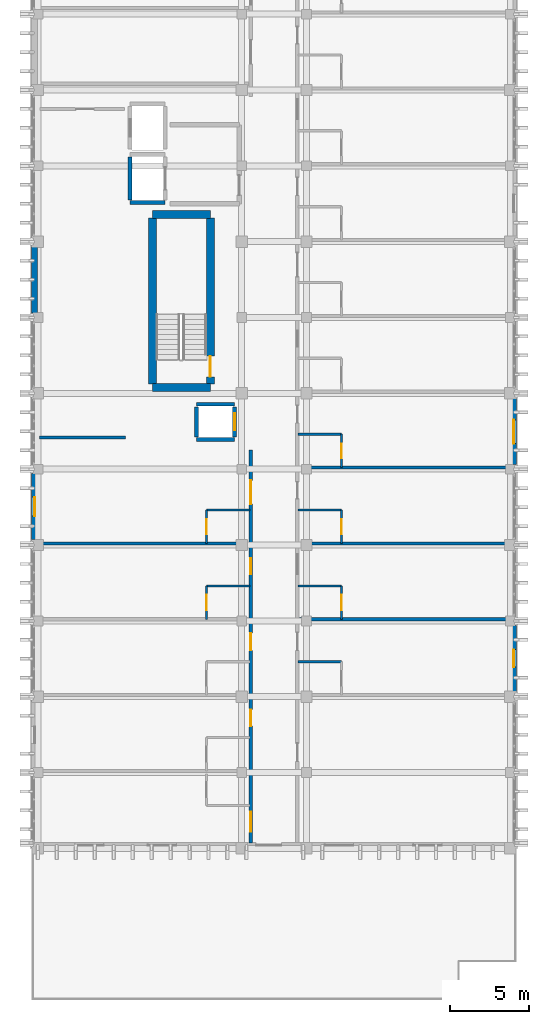
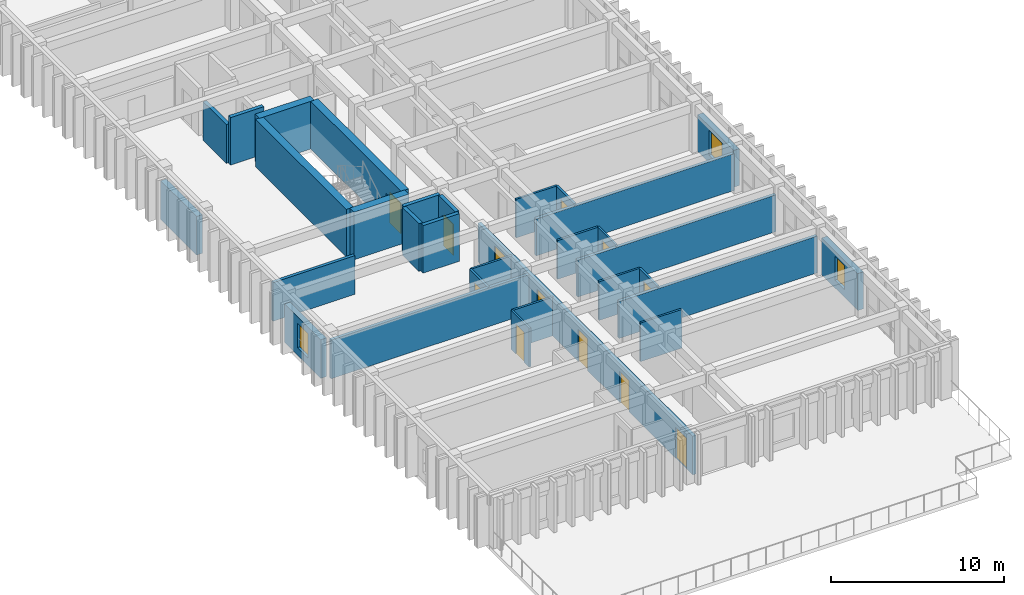
# One storey, part 48 of 59: 31 walls, 12 doors, 3 windows, 15 openings.
"""IFC4 building model written with IfcOpenShell, lengths in metres."""

from ifc_helpers import new_model, si_unit, direction, frame, frame_2d, origin, place, context, subcontext, project, spatial, rectangle, extrude, material, layer, layer_set, type_object, element, fill, save


model = new_model("IFC4")

# Units and contexts
model_context = context("Model", 3, precision=1e-05, world=origin(), true_north=direction((0.0, 1.0)))
body_context = subcontext(model_context, "Body", "Model", "MODEL_VIEW")
ifc_project = project(units=[si_unit("LENGTHUNIT", "METRE"), si_unit("AREAUNIT", "SQUARE_METRE"), si_unit("VOLUMEUNIT", "CUBIC_METRE"), si_unit("PLANEANGLEUNIT", "RADIAN"), si_unit("MASSUNIT", "GRAM", prefix="KILO")], contexts=[model_context])

# Site, building, storey
site_placement = place(None, origin())
site = spatial("IfcSite", under=ifc_project, at=site_placement, CompositionType="ELEMENT")
building_placement = place(site_placement, origin())
building = spatial("IfcBuilding", under=site, at=building_placement, Name="Nakhvara Creek Congress Hotel", CompositionType="ELEMENT")
storey_placement = place(building_placement, frame((0.0, 0.0, 31.800048828125)))
storey = spatial("IfcBuildingStorey", under=building, at=storey_placement, Name="L07", CompositionType="ELEMENT", Elevation=31.800048828125)

# Walls
ifc_material_1 = material(Name="Concrete C50/60", Category="concrete")
ifc_layer_1 = layer(ifc_material_1, 0.5)
ifc_layer_set_1 = layer_set([ifc_layer_1], Name="Concrete C50/60")
wall_type_1 = type_object("IfcWallType", Name="W-CORE-500", PredefinedType="SHEAR", material=ifc_layer_set_1)
for number, where, z_axis, x_axis, name in (
    (1, (156.699951171875, 77.179931640625, 0.0), (0.0, 0.0, 1.0), (1.0, 0.0, 0.0), "Core Shear Wall WS01-CWALL-L07-0163"),
    (2, (156.699951171875, 88.1201171875, 0.0), (0.0, 0.0, 1.0), (1.0, 0.0, 0.0), "Core Shear Wall WS01-CWALL-L07-0164"),
):
    element("IfcWall", number, at=place(storey_placement, frame(where, z_axis=z_axis, x_axis=x_axis)), inside=storey, type_object=wall_type_1, Name=name, PredefinedType="SHEAR", context=body_context, shape_type="SweptSolid", body=[
        extrude(rectangle(XDim=3.670166015625, YDim=0.5, at=frame_2d((1.8349609375, 0.0))), origin(), (0.0, 0.0, 1.0), 3.35986328125),
    ])
wall_1_placement = place(storey_placement, frame((156.699951171875, 77.39990234375, 0.0), z_axis=(0.0, 0.0, 1.0), x_axis=(0.0, 1.0, 0.0)))
element("IfcWall", 3, at=wall_1_placement, inside=storey, type_object=wall_type_1, Name="Core Shear Wall WS01-CWALL-L07-0165", PredefinedType="SHEAR", context=body_context, shape_type="SweptSolid", body=[
    extrude(rectangle(XDim=10.5, YDim=0.5, at=frame_2d((5.25, 0.0))), origin(), (0.0, 0.0, 1.0), 3.35986328125),
])

# Wall, opening, door
wall_2_placement = place(storey_placement, frame((160.3701171875, 77.39990234375, 0.0), z_axis=(0.0, 0.0, 1.0), x_axis=(0.0, 1.0, 0.0)))
wall_2 = element("IfcWall", 4, at=wall_2_placement, inside=storey, type_object=wall_type_1, Name="Core Shear Wall WS01-CWALL-L07-0166", PredefinedType="SHEAR", context=body_context, shape_type="SweptSolid", body=[
    extrude(rectangle(XDim=10.5, YDim=0.5, at=frame_2d((5.25, 0.0))), origin(), (0.0, 0.0, 1.0), 3.35986328125),
])
opening_1_placement = place(wall_2_placement, frame((0.449951171875, 0.0, 0.0)))
opening_1 = element("IfcOpeningElement", 5, at=opening_1_placement, cuts=wall_2, Name="Opening FD04", PredefinedType="OPENING", context=body_context, shape_type="SweptSolid", body=[
    extrude(rectangle(XDim=1.300048828125, YDim=2.14990234375, at=frame_2d((0.64990234375, 1.074951171875))), frame((0.0, 0.261962890625, 0.0), z_axis=(0.0, -1.0, 0.0), x_axis=(1.0, 0.0, 0.0)), (0.0, 0.0, 1.0), 0.52392578125),
])
ifc_material_2 = material(Name="Powder-coated steel fire door", Category="steel")
door_type_1 = type_object("IfcDoorType", Name="DT-STAIR-130", OperationType="NOTDEFINED", PredefinedType="DOOR", material=ifc_material_2)
door_1_placement = place(opening_1_placement, frame((1.300048828125, 0.0, 0.0), z_axis=(0.0, 0.0, 1.0), x_axis=(-1.0, 0.0, 0.0)))
door_1 = element("IfcDoor", 6, at=door_1_placement, inside=storey, type_object=door_type_1, Name="Stair Exit Door ST01-L07", OperationType="SINGLE_SWING_LEFT", OverallHeight=2.14990234375, OverallWidth=1.300048828125, PredefinedType="DOOR", context=body_context, shape_type="SweptSolid", body=[
    extrude(rectangle(XDim=1.300048828125, YDim=2.14990234375, at=frame_2d((0.64990234375, 1.074951171875))), frame((0.0, 0.02490234375, 0.0), z_axis=(0.0, -1.0, 0.0), x_axis=(1.0, 0.0, 0.0)), (0.0, 0.0, 1.0), 0.050048828125),
])
fill(opening_1, door_1)

# Wall, openings, doors
ifc_material_3 = material(Name="Gypsum acoustic board on steel stud", Category="steel")
ifc_layer_2 = layer(ifc_material_3, 0.219970703125)
ifc_layer_set_2 = layer_set([ifc_layer_2], Name="Gypsum acoustic board on steel stud")
wall_type_2 = type_object("IfcWallType", Name="W-CORR-220", PredefinedType="PARTITIONING", material=ifc_layer_set_2)
wall_3_placement = place(storey_placement, frame((162.919921875, 48.35009765625, 0.0), z_axis=(0.0, 0.0, 1.0), x_axis=(0.0, 1.0, 0.0)))
wall_3 = element("IfcWall", 7, at=wall_3_placement, inside=storey, type_object=wall_type_2, Name="Interior Wall WP11-IW-L07-0518", PredefinedType="PARTITIONING", context=body_context, shape_type="SweptSolid", body=[
    extrude(rectangle(XDim=24.849853515625, YDim=0.219970703125, at=frame_2d((12.4248046875, 0.0))), origin(), (0.0, 0.0, 1.0), 2.73193359375),
])
opening_2_placement = place(wall_3_placement, frame((0.69091796875, 0.0, 0.0)))
opening_2 = element("IfcOpeningElement", 8, at=opening_2_placement, cuts=wall_3, Name="Opening ID07", PredefinedType="OPENING", context=body_context, shape_type="SweptSolid", body=[
    extrude(rectangle(XDim=1.280029296875, YDim=2.159912109375, at=frame_2d((0.64013671875, 1.080078125))), frame((0.0, 0.1220703125, 0.0), z_axis=(0.0, -1.0, 0.0), x_axis=(1.0, 0.0, 0.0)), (0.0, 0.0, 1.0), 0.243896484375),
])
opening_3_placement = place(wall_3_placement, frame((7.387939453125, 0.0, 0.0)))
opening_3 = element("IfcOpeningElement", 9, at=opening_3_placement, cuts=wall_3, Name="Opening ID04", PredefinedType="OPENING", context=body_context, shape_type="SweptSolid", body=[
    extrude(rectangle(XDim=1.050048828125, YDim=2.179931640625, at=frame_2d((0.52490234375, 1.08984375))), frame((0.0, 0.1220703125, 0.0), z_axis=(0.0, -1.0, 0.0), x_axis=(1.0, 0.0, 0.0)), (0.0, 0.0, 1.0), 0.243896484375),
])
opening_4_placement = place(wall_3_placement, frame((12.18798828125, 0.0, 0.0)))
opening_4 = element("IfcOpeningElement", 10, at=opening_4_placement, cuts=wall_3, Name="Opening GD02", PredefinedType="OPENING", context=body_context, shape_type="SweptSolid", body=[
    extrude(rectangle(XDim=1.080078125, YDim=2.25, at=frame_2d((0.5400390625, 1.125))), frame((0.0, 0.1220703125, 0.0), z_axis=(0.0, -1.0, 0.0), x_axis=(1.0, 0.0, 0.0)), (0.0, 0.0, 1.0), 0.243896484375),
])
opening_5_placement = place(wall_3_placement, frame((16.988037109375, 0.0, 0.0)))
opening_5 = element("IfcOpeningElement", 11, at=opening_5_placement, cuts=wall_3, Name="Opening GD01", PredefinedType="OPENING", context=body_context, shape_type="SweptSolid", body=[
    extrude(rectangle(XDim=1.02001953125, YDim=2.199951171875, at=frame_2d((0.510009765625, 1.10009765625))), frame((0.0, 0.1220703125, 0.0), z_axis=(0.0, -1.0, 0.0), x_axis=(1.0, 0.0, 0.0)), (0.0, 0.0, 1.0), 0.243896484375),
])
opening_6_placement = place(wall_3_placement, frame((21.43798828125, 0.0, 0.0)))
opening_6 = element("IfcOpeningElement", 12, at=opening_6_placement, cuts=wall_3, Name="Opening GD03", PredefinedType="OPENING", context=body_context, shape_type="SweptSolid", body=[
    extrude(rectangle(XDim=1.5, YDim=2.300048828125, at=frame_2d((0.75, 1.14990234375))), frame((0.0, 0.1220703125, 0.0), z_axis=(0.0, -1.0, 0.0), x_axis=(1.0, 0.0, 0.0)), (0.0, 0.0, 1.0), 0.243896484375),
])
ifc_material_4 = material(Name="Brushed stainless-clad BOH door")
door_type_2 = type_object("IfcDoorType", Name="DT-BOH-128", OperationType="NOTDEFINED", PredefinedType="DOOR", material=ifc_material_4)
door_2_placement = place(opening_2_placement, frame((1.280029296875, 0.0, 0.0), z_axis=(0.0, 0.0, 1.0), x_axis=(-1.0, 0.0, 0.0)))
door_2 = element("IfcDoor", 13, at=door_2_placement, inside=storey, type_object=door_type_2, Name="Interior Door ID07-0400", OperationType="SINGLE_SWING_LEFT", OverallHeight=2.159912109375, OverallWidth=1.280029296875, PredefinedType="DOOR", context=body_context, shape_type="SweptSolid", body=[
    extrude(rectangle(XDim=1.280029296875, YDim=2.159912109375, at=frame_2d((0.64013671875, 1.080078125))), frame((0.0, 0.02490234375, 0.0), z_axis=(0.0, -1.0, 0.0), x_axis=(1.0, 0.0, 0.0)), (0.0, 0.0, 1.0), 0.050048828125),
])
fill(opening_2, door_2)
ifc_material_5 = material(Name="Walnut hardwood timber fire door", Category="wood")
door_type_3 = type_object("IfcDoorType", Name="DT-GUEST-102", OperationType="NOTDEFINED", PredefinedType="DOOR", material=ifc_material_5)
door_3_placement = place(opening_5_placement, frame((1.02001953125, 0.0, 0.0), z_axis=(0.0, 0.0, 1.0), x_axis=(-1.0, 0.0, 0.0)))
door_3 = element("IfcDoor", 14, at=door_3_placement, inside=storey, type_object=door_type_3, Name="Interior Door GD01-0406", OperationType="SINGLE_SWING_LEFT", OverallHeight=2.199951171875, OverallWidth=1.02001953125, PredefinedType="DOOR", context=body_context, shape_type="SweptSolid", body=[
    extrude(rectangle(XDim=1.02001953125, YDim=2.199951171875, at=frame_2d((0.510009765625, 1.10009765625))), frame((0.0, 0.02490234375, 0.0), z_axis=(0.0, -1.0, 0.0), x_axis=(1.0, 0.0, 0.0)), (0.0, 0.0, 1.0), 0.050048828125),
])
fill(opening_5, door_3)
door_type_4 = type_object("IfcDoorType", Name="DT-GUEST-108", OperationType="NOTDEFINED", PredefinedType="DOOR", material=ifc_material_5)
door_4_placement = place(opening_4_placement, frame((1.080078125, 0.0, 0.0), z_axis=(0.0, 0.0, 1.0), x_axis=(-1.0, 0.0, 0.0)))
door_4 = element("IfcDoor", 15, at=door_4_placement, inside=storey, type_object=door_type_4, Name="Interior Door GD02-0404", OperationType="SINGLE_SWING_LEFT", OverallHeight=2.25, OverallWidth=1.080078125, PredefinedType="DOOR", context=body_context, shape_type="SweptSolid", body=[
    extrude(rectangle(XDim=1.080078125, YDim=2.25, at=frame_2d((0.5400390625, 1.125))), frame((0.0, 0.02490234375, 0.0), z_axis=(0.0, -1.0, 0.0), x_axis=(1.0, 0.0, 0.0)), (0.0, 0.0, 1.0), 0.050048828125),
])
fill(opening_4, door_4)
ifc_material_6 = material(Name="Teak timber & frosted glass spa door", Category="wood")
door_type_5 = type_object("IfcDoorType", Name="DT-SPA-105", OperationType="NOTDEFINED", PredefinedType="DOOR", material=ifc_material_6)
door_5_placement = place(opening_3_placement, frame((1.050048828125, 0.0, 0.0), z_axis=(0.0, 0.0, 1.0), x_axis=(-1.0, 0.0, 0.0)))
door_5 = element("IfcDoor", 16, at=door_5_placement, inside=storey, type_object=door_type_5, Name="Interior Door ID04-0402", OperationType="SINGLE_SWING_LEFT", OverallHeight=2.179931640625, OverallWidth=1.050048828125, PredefinedType="DOOR", context=body_context, shape_type="SweptSolid", body=[
    extrude(rectangle(XDim=1.050048828125, YDim=2.179931640625, at=frame_2d((0.52490234375, 1.08984375))), frame((0.0, 0.02490234375, 0.0), z_axis=(0.0, -1.0, 0.0), x_axis=(1.0, 0.0, 0.0)), (0.0, 0.0, 1.0), 0.050048828125),
])
fill(opening_3, door_5)
ifc_material_7 = material(Name="Walnut hardwood double fire door", Category="wood")
door_type_6 = type_object("IfcDoorType", Name="DT-SUITE-150", OperationType="DOUBLE_DOOR_SINGLE_SWING", PredefinedType="DOOR", material=ifc_material_7)
door_6_placement = place(opening_6_placement, frame((1.5, 0.0, 0.0), z_axis=(0.0, 0.0, 1.0), x_axis=(-1.0, 0.0, 0.0)))
door_6 = element("IfcDoor", 17, at=door_6_placement, inside=storey, type_object=door_type_6, Name="Interior Door GD03-0408", OperationType="DOUBLE_DOOR_SINGLE_SWING", OverallHeight=2.300048828125, OverallWidth=1.5, PredefinedType="DOOR", context=body_context, shape_type="SweptSolid", body=[
    extrude(rectangle(XDim=1.5, YDim=2.300048828125, at=frame_2d((0.75, 1.14990234375))), frame((0.0, 0.02490234375, 0.0), z_axis=(0.0, -1.0, 0.0), x_axis=(1.0, 0.0, 0.0)), (0.0, 0.0, 1.0), 0.050048828125),
])
fill(opening_6, door_6)

# Wall, opening, door
ifc_material_8 = material(Name="Moisture-resistant gypsum board partition")
ifc_layer_3 = layer(ifc_material_8, 0.139892578125)
ifc_layer_set_3 = layer_set([ifc_layer_3], Name="Moisture-resistant gypsum board partition")
wall_type_3 = type_object("IfcWallType", Name="W-ENS-140", PredefinedType="PARTITIONING", material=ifc_layer_set_3)
wall_4_placement = place(storey_placement, frame((160.1298828125, 62.5, 0.0), z_axis=(0.0, 0.0, 1.0), x_axis=(0.0, 1.0, 0.0)))
wall_4 = element("IfcWall", 18, at=wall_4_placement, inside=storey, type_object=wall_type_3, Name="Interior Wall WP15-IW-L07-0538", PredefinedType="PARTITIONING", context=body_context, shape_type="SweptSolid", body=[
    extrude(rectangle(XDim=2.115966796875, YDim=0.139892578125, at=frame_2d((1.05810546875, 0.0))), origin(), (0.0, 0.0, 1.0), 2.73193359375),
])
opening_7_placement = place(wall_4_placement, frame((0.5830078125, 0.0, 0.0)))
opening_7 = element("IfcOpeningElement", 19, at=opening_7_placement, cuts=wall_4, Name="Opening ID02", PredefinedType="OPENING", context=body_context, shape_type="SweptSolid", body=[
    extrude(rectangle(XDim=0.9599609375, YDim=2.1201171875, at=frame_2d((0.47998046875, 1.06005859375))), frame((0.0, 0.08203125, 0.0), z_axis=(0.0, -1.0, 0.0), x_axis=(1.0, 0.0, 0.0)), (0.0, 0.0, 1.0), 0.163818359375),
])
ifc_material_9 = material(Name="Moisture-resistant walnut timber door", Category="wood")
door_type_7 = type_object("IfcDoorType", Name="DT-ENS-096", OperationType="NOTDEFINED", PredefinedType="DOOR", material=ifc_material_9)
door_7_placement = place(opening_7_placement, origin())
door_7 = element("IfcDoor", 20, at=door_7_placement, inside=storey, type_object=door_type_7, Name="Interior Door ID02-0407", OperationType="SINGLE_SWING_RIGHT", OverallHeight=2.1201171875, OverallWidth=0.9599609375, PredefinedType="DOOR", context=body_context, shape_type="SweptSolid", body=[
    extrude(rectangle(XDim=0.9599609375, YDim=2.1201171875, at=frame_2d((0.47998046875, 1.06005859375))), frame((0.0, 0.02490234375, 0.0), z_axis=(0.0, -1.0, 0.0), x_axis=(1.0, 0.0, 0.0)), (0.0, 0.0, 1.0), 0.050048828125),
])
fill(opening_7, door_7)

# Wall
wall_5_placement = place(storey_placement, frame((160.1298828125, 64.615966796875, 0.0), z_axis=(0.0, 0.0, 1.0), x_axis=(1.0, 0.0, 0.0)))
element("IfcWall", 21, at=wall_5_placement, inside=storey, type_object=wall_type_3, Name="Interior Wall WP15-IW-L07-0539", PredefinedType="PARTITIONING", context=body_context, shape_type="SweptSolid", body=[
    extrude(rectangle(XDim=2.75, YDim=0.139892578125, at=frame_2d((1.375, 0.0))), origin(), (0.0, 0.0, 1.0), 2.73193359375),
])

# Wall, opening, door
wall_6_placement = place(storey_placement, frame((160.1298828125, 67.300048828125, 0.0), z_axis=(0.0, 0.0, 1.0), x_axis=(0.0, 1.0, 0.0)))
wall_6 = element("IfcWall", 22, at=wall_6_placement, inside=storey, type_object=wall_type_3, Name="Interior Wall WP15-IW-L07-0541", PredefinedType="PARTITIONING", context=body_context, shape_type="SweptSolid", body=[
    extrude(rectangle(XDim=2.115966796875, YDim=0.139892578125, at=frame_2d((1.05810546875, 0.0))), origin(), (0.0, 0.0, 1.0), 2.73193359375),
])
opening_8_placement = place(wall_6_placement, frame((0.5830078125, 0.0, 0.0)))
opening_8 = element("IfcOpeningElement", 23, at=opening_8_placement, cuts=wall_6, Name="Opening ID02", PredefinedType="OPENING", context=body_context, shape_type="SweptSolid", body=[
    extrude(rectangle(XDim=0.9599609375, YDim=2.1201171875, at=frame_2d((0.47998046875, 1.06005859375))), frame((0.0, 0.08203125, 0.0), z_axis=(0.0, -1.0, 0.0), x_axis=(1.0, 0.0, 0.0)), (0.0, 0.0, 1.0), 0.163818359375),
])
door_8_placement = place(opening_8_placement, origin())
door_8 = element("IfcDoor", 24, at=door_8_placement, inside=storey, type_object=door_type_7, Name="Interior Door ID02-0409", OperationType="SINGLE_SWING_RIGHT", OverallHeight=2.1201171875, OverallWidth=0.9599609375, PredefinedType="DOOR", context=body_context, shape_type="SweptSolid", body=[
    extrude(rectangle(XDim=0.9599609375, YDim=2.1201171875, at=frame_2d((0.47998046875, 1.06005859375))), frame((0.0, 0.02490234375, 0.0), z_axis=(0.0, -1.0, 0.0), x_axis=(1.0, 0.0, 0.0)), (0.0, 0.0, 1.0), 0.050048828125),
])
fill(opening_8, door_8)

# Walls
for number, where, z_axis, x_axis, name in (
    (25, (160.1298828125, 69.416015625, 0.0), (0.0, 0.0, 1.0), (1.0, 0.0, 0.0), "Interior Wall WP15-IW-L07-0542"),
    (26, (165.919921875, 59.81591796875, 0.0), (0.0, 0.0, 1.0), (1.0, 0.0, 0.0), "Interior Wall WP15-IW-L07-0545"),
):
    element("IfcWall", number, at=place(storey_placement, frame(where, z_axis=z_axis, x_axis=x_axis)), inside=storey, type_object=wall_type_3, Name=name, PredefinedType="PARTITIONING", context=body_context, shape_type="SweptSolid", body=[
        extrude(rectangle(XDim=2.75, YDim=0.139892578125, at=frame_2d((1.375, 0.0))), origin(), (0.0, 0.0, 1.0), 2.73193359375),
    ])

# Wall, opening, door
wall_7_placement = place(storey_placement, frame((168.669921875, 62.5, 0.0), z_axis=(0.0, 0.0, 1.0), x_axis=(0.0, 1.0, 0.0)))
wall_7 = element("IfcWall", 27, at=wall_7_placement, inside=storey, type_object=wall_type_3, Name="Interior Wall WP15-IW-L07-0547", PredefinedType="PARTITIONING", context=body_context, shape_type="SweptSolid", body=[
    extrude(rectangle(XDim=2.115966796875, YDim=0.139892578125, at=frame_2d((1.05810546875, 0.0))), origin(), (0.0, 0.0, 1.0), 2.73193359375),
])
opening_9_placement = place(wall_7_placement, frame((0.5830078125, 0.0, 0.0)))
opening_9 = element("IfcOpeningElement", 28, at=opening_9_placement, cuts=wall_7, Name="Opening ID02", PredefinedType="OPENING", context=body_context, shape_type="SweptSolid", body=[
    extrude(rectangle(XDim=0.9599609375, YDim=2.1201171875, at=frame_2d((0.47998046875, 1.06005859375))), frame((0.0, 0.08203125, 0.0), z_axis=(0.0, -1.0, 0.0), x_axis=(1.0, 0.0, 0.0)), (0.0, 0.0, 1.0), 0.163818359375),
])
door_9_placement = place(opening_9_placement, frame((0.9599609375, 0.0, 0.0), z_axis=(0.0, 0.0, 1.0), x_axis=(-1.0, 0.0, 0.0)))
door_9 = element("IfcDoor", 29, at=door_9_placement, inside=storey, type_object=door_type_7, Name="Interior Door ID02-0413", OperationType="SINGLE_SWING_RIGHT", OverallHeight=2.1201171875, OverallWidth=0.9599609375, PredefinedType="DOOR", context=body_context, shape_type="SweptSolid", body=[
    extrude(rectangle(XDim=0.9599609375, YDim=2.1201171875, at=frame_2d((0.47998046875, 1.06005859375))), frame((0.0, 0.02490234375, 0.0), z_axis=(0.0, -1.0, 0.0), x_axis=(1.0, 0.0, 0.0)), (0.0, 0.0, 1.0), 0.050048828125),
])
fill(opening_9, door_9)

# Wall
wall_8_placement = place(storey_placement, frame((165.919921875, 64.615966796875, 0.0), z_axis=(0.0, 0.0, 1.0), x_axis=(1.0, 0.0, 0.0)))
element("IfcWall", 30, at=wall_8_placement, inside=storey, type_object=wall_type_3, Name="Interior Wall WP15-IW-L07-0548", PredefinedType="PARTITIONING", context=body_context, shape_type="SweptSolid", body=[
    extrude(rectangle(XDim=2.75, YDim=0.139892578125, at=frame_2d((1.375, 0.0))), origin(), (0.0, 0.0, 1.0), 2.73193359375),
])

# Wall, opening, door
wall_9_placement = place(storey_placement, frame((168.669921875, 67.300048828125, 0.0), z_axis=(0.0, 0.0, 1.0), x_axis=(0.0, 1.0, 0.0)))
wall_9 = element("IfcWall", 31, at=wall_9_placement, inside=storey, type_object=wall_type_3, Name="Interior Wall WP15-IW-L07-0550", PredefinedType="PARTITIONING", context=body_context, shape_type="SweptSolid", body=[
    extrude(rectangle(XDim=2.115966796875, YDim=0.139892578125, at=frame_2d((1.05810546875, 0.0))), origin(), (0.0, 0.0, 1.0), 2.73193359375),
])
opening_10_placement = place(wall_9_placement, frame((0.5830078125, 0.0, 0.0)))
opening_10 = element("IfcOpeningElement", 32, at=opening_10_placement, cuts=wall_9, Name="Opening ID02", PredefinedType="OPENING", context=body_context, shape_type="SweptSolid", body=[
    extrude(rectangle(XDim=0.9599609375, YDim=2.1201171875, at=frame_2d((0.47998046875, 1.06005859375))), frame((0.0, 0.08203125, 0.0), z_axis=(0.0, -1.0, 0.0), x_axis=(1.0, 0.0, 0.0)), (0.0, 0.0, 1.0), 0.163818359375),
])
door_10_placement = place(opening_10_placement, frame((0.9599609375, 0.0, 0.0), z_axis=(0.0, 0.0, 1.0), x_axis=(-1.0, 0.0, 0.0)))
door_10 = element("IfcDoor", 33, at=door_10_placement, inside=storey, type_object=door_type_7, Name="Interior Door ID02-0415", OperationType="SINGLE_SWING_RIGHT", OverallHeight=2.1201171875, OverallWidth=0.9599609375, PredefinedType="DOOR", context=body_context, shape_type="SweptSolid", body=[
    extrude(rectangle(XDim=0.9599609375, YDim=2.1201171875, at=frame_2d((0.47998046875, 1.06005859375))), frame((0.0, 0.02490234375, 0.0), z_axis=(0.0, -1.0, 0.0), x_axis=(1.0, 0.0, 0.0)), (0.0, 0.0, 1.0), 0.050048828125),
])
fill(opening_10, door_10)

# Wall
wall_10_placement = place(storey_placement, frame((165.919921875, 69.416015625, 0.0), z_axis=(0.0, 0.0, 1.0), x_axis=(1.0, 0.0, 0.0)))
element("IfcWall", 34, at=wall_10_placement, inside=storey, type_object=wall_type_3, Name="Interior Wall WP15-IW-L07-0551", PredefinedType="PARTITIONING", context=body_context, shape_type="SweptSolid", body=[
    extrude(rectangle(XDim=2.75, YDim=0.139892578125, at=frame_2d((1.375, 0.0))), origin(), (0.0, 0.0, 1.0), 2.73193359375),
])

# Wall, opening, door
wall_11_placement = place(storey_placement, frame((168.669921875, 72.10009765625, 0.0), z_axis=(0.0, 0.0, 1.0), x_axis=(0.0, 1.0, 0.0)))
wall_11 = element("IfcWall", 35, at=wall_11_placement, inside=storey, type_object=wall_type_3, Name="Interior Wall WP15-IW-L07-0553", PredefinedType="PARTITIONING", context=body_context, shape_type="SweptSolid", body=[
    extrude(rectangle(XDim=2.115966796875, YDim=0.139892578125, at=frame_2d((1.05810546875, 0.0))), origin(), (0.0, 0.0, 1.0), 2.73193359375),
])
opening_11_placement = place(wall_11_placement, frame((0.5830078125, 0.0, 0.0)))
opening_11 = element("IfcOpeningElement", 36, at=opening_11_placement, cuts=wall_11, Name="Opening ID01", PredefinedType="OPENING", context=body_context, shape_type="SweptSolid", body=[
    extrude(rectangle(XDim=0.919921875, YDim=2.10009765625, at=frame_2d((0.4599609375, 1.050048828125))), frame((0.0, 0.08203125, 0.0), z_axis=(0.0, -1.0, 0.0), x_axis=(1.0, 0.0, 0.0)), (0.0, 0.0, 1.0), 0.163818359375),
])
door_type_8 = type_object("IfcDoorType", Name="DT-ENS-092", OperationType="NOTDEFINED", PredefinedType="DOOR", material=ifc_material_9)
door_11_placement = place(opening_11_placement, frame((0.919921875, 0.0, 0.0), z_axis=(0.0, 0.0, 1.0), x_axis=(-1.0, 0.0, 0.0)))
door_11 = element("IfcDoor", 37, at=door_11_placement, inside=storey, type_object=door_type_8, Name="Interior Door ID01-0417", OperationType="SINGLE_SWING_RIGHT", OverallHeight=2.10009765625, OverallWidth=0.919921875, PredefinedType="DOOR", context=body_context, shape_type="SweptSolid", body=[
    extrude(rectangle(XDim=0.919921875, YDim=2.10009765625, at=frame_2d((0.4599609375, 1.050048828125))), frame((0.0, 0.02490234375, 0.0), z_axis=(0.0, -1.0, 0.0), x_axis=(1.0, 0.0, 0.0)), (0.0, 0.0, 1.0), 0.050048828125),
])
fill(opening_11, door_11)

# Wall
wall_12_placement = place(storey_placement, frame((165.919921875, 74.216064453125, 0.0), z_axis=(0.0, 0.0, 1.0), x_axis=(1.0, 0.0, 0.0)))
element("IfcWall", 38, at=wall_12_placement, inside=storey, type_object=wall_type_3, Name="Interior Wall WP15-IW-L07-0554", PredefinedType="PARTITIONING", context=body_context, shape_type="SweptSolid", body=[
    extrude(rectangle(XDim=2.75, YDim=0.139892578125, at=frame_2d((1.375, 0.0))), origin(), (0.0, 0.0, 1.0), 2.73193359375),
])

# Wall, opening, window
ifc_material_10 = material(Name="Honed pale Omani limestone cladding", Category="masonry")
ifc_layer_4 = layer(ifc_material_10, 0.050048828125)
ifc_material_11 = material(Name="Mineral wool thermal insulation")
ifc_layer_5 = layer(ifc_material_11, 0.110107421875)
ifc_material_12 = material(Name="Precast concrete C40/50", Category="concrete")
ifc_layer_6 = layer(ifc_material_12, 0.219970703125)
ifc_layer_set_4 = layer_set([ifc_layer_4, ifc_layer_5, ifc_layer_6], Name="Precast concrete C40/50")
wall_type_4 = type_object("IfcWallType", Name="W-EXT-380", PredefinedType="SOLIDWALL", material=ifc_layer_set_4)
wall_13_placement = place(storey_placement, frame((179.56005859375, 62.114990234375, 0.0), z_axis=(0.0, 0.0, 1.0), x_axis=(0.0, -1.0, 0.0)))
wall_13 = element("IfcWall", 39, at=wall_13_placement, inside=storey, type_object=wall_type_4, Name="Exterior Wall WE03-EW-L07-0179", PredefinedType="SOLIDWALL", context=body_context, shape_type="SweptSolid", body=[
    extrude(rectangle(XDim=4.179931640625, YDim=0.3798828125, at=frame_2d((2.08984375, 0.0))), origin(), (0.0, 0.0, 1.0), 2.60205078125),
])
opening_12_placement = place(wall_13_placement, frame((1.5400390625, 0.0, 0.550048828125)))
opening_12 = element("IfcOpeningElement", 40, at=opening_12_placement, cuts=wall_13, Name="Opening WN0196", PredefinedType="OPENING", context=body_context, shape_type="SweptSolid", body=[
    extrude(rectangle(XDim=1.10009765625, YDim=1.699951171875, at=frame_2d((0.550048828125, 0.85009765625))), frame((0.0, 0.201904296875, 0.0), z_axis=(0.0, -1.0, 0.0), x_axis=(1.0, 0.0, 0.0)), (0.0, 0.0, 1.0), 0.40380859375),
])
ifc_material_13 = material(Name="Thermally broken bronze-anodised aluminium and double-silver low-E insulated glass", Category="aluminium")
window_type_1 = type_object("IfcWindowType", Name="WN-LAN-110X215", PartitioningType="SINGLE_PANEL", PredefinedType="WINDOW", material=ifc_material_13)
window_1_placement = place(opening_12_placement, origin())
window_1 = element("IfcWindow", 41, at=window_1_placement, inside=storey, type_object=window_type_1, Name="Facade Window WN0196", OverallHeight=1.699951171875, OverallWidth=1.10009765625, PartitioningType="SINGLE_PANEL", PredefinedType="WINDOW", context=body_context, shape_type="SweptSolid", body=[
    extrude(rectangle(XDim=1.10009765625, YDim=1.699951171875, at=frame_2d((0.550048828125, 0.85009765625))), frame((0.0, 0.030029296875, 0.0), z_axis=(0.0, -1.0, 0.0), x_axis=(1.0, 0.0, 0.0)), (0.0, 0.0, 1.0), 0.06005859375),
])
fill(opening_12, window_1)

wall_14_placement = place(storey_placement, frame((149.239990234375, 67.534912109375, 0.0), z_axis=(0.0, 0.0, 1.0), x_axis=(0.0, 1.0, 0.0)))
wall_14 = element("IfcWall", 42, at=wall_14_placement, inside=storey, type_object=wall_type_4, Name="Exterior Wall WE03-EW-L07-0180", PredefinedType="SOLIDWALL", context=body_context, shape_type="SweptSolid", body=[
    extrude(rectangle(XDim=4.18017578125, YDim=0.3798828125, at=frame_2d((2.090087890625, 0.0))), origin(), (0.0, 0.0, 1.0), 2.73193359375),
])
opening_13_placement = place(wall_14_placement, frame((1.489990234375, 0.0, 0.550048828125)))
opening_13 = element("IfcOpeningElement", 43, at=opening_13_placement, cuts=wall_14, Name="Opening WN0195", PredefinedType="OPENING", context=body_context, shape_type="SweptSolid", body=[
    extrude(rectangle(XDim=1.199951171875, YDim=1.719970703125, at=frame_2d((0.60009765625, 0.85986328125))), frame((0.0, 0.201904296875, 0.0), z_axis=(0.0, -1.0, 0.0), x_axis=(1.0, 0.0, 0.0)), (0.0, 0.0, 1.0), 0.40380859375),
])
window_type_2 = type_object("IfcWindowType", Name="WN-LAN-120X220", PartitioningType="SINGLE_PANEL", PredefinedType="WINDOW", material=ifc_material_13)
window_2_placement = place(opening_13_placement, origin())
window_2 = element("IfcWindow", 44, at=window_2_placement, inside=storey, type_object=window_type_2, Name="Facade Window WN0195", OverallHeight=1.719970703125, OverallWidth=1.199951171875, PartitioningType="SINGLE_PANEL", PredefinedType="WINDOW", context=body_context, shape_type="SweptSolid", body=[
    extrude(rectangle(XDim=1.199951171875, YDim=1.719970703125, at=frame_2d((0.60009765625, 0.85986328125))), frame((0.0, 0.030029296875, 0.0), z_axis=(0.0, -1.0, 0.0), x_axis=(1.0, 0.0, 0.0)), (0.0, 0.0, 1.0), 0.06005859375),
])
fill(opening_13, window_2)

wall_15_placement = place(storey_placement, frame((179.56005859375, 76.465087890625, 0.0), z_axis=(0.0, 0.0, 1.0), x_axis=(0.0, -1.0, 0.0)))
wall_15 = element("IfcWall", 45, at=wall_15_placement, inside=storey, type_object=wall_type_4, Name="Exterior Wall WE03-EW-L07-0181", PredefinedType="SOLIDWALL", context=body_context, shape_type="SweptSolid", body=[
    extrude(rectangle(XDim=4.18017578125, YDim=0.3798828125, at=frame_2d((2.090087890625, 0.0))), origin(), (0.0, 0.0, 1.0), 2.60205078125),
])
opening_14_placement = place(wall_15_placement, frame((1.340087890625, 0.0, 0.550048828125)))
opening_14 = element("IfcOpeningElement", 46, at=opening_14_placement, cuts=wall_15, Name="Opening WN0197", PredefinedType="OPENING", context=body_context, shape_type="SweptSolid", body=[
    extrude(rectangle(XDim=1.5, YDim=1.739990234375, at=frame_2d((0.75, 0.8701171875))), frame((0.0, 0.201904296875, 0.0), z_axis=(0.0, -1.0, 0.0), x_axis=(1.0, 0.0, 0.0)), (0.0, 0.0, 1.0), 0.40380859375),
])
window_type_3 = type_object("IfcWindowType", Name="WN-LAN-150X220", PartitioningType="SINGLE_PANEL", PredefinedType="WINDOW", material=ifc_material_13)
window_3_placement = place(opening_14_placement, origin())
window_3 = element("IfcWindow", 47, at=window_3_placement, inside=storey, type_object=window_type_3, Name="Facade Window WN0197", OverallHeight=1.739990234375, OverallWidth=1.5, PartitioningType="SINGLE_PANEL", PredefinedType="WINDOW", context=body_context, shape_type="SweptSolid", body=[
    extrude(rectangle(XDim=1.5, YDim=1.739990234375, at=frame_2d((0.75, 0.8701171875))), frame((0.0, 0.030029296875, 0.0), z_axis=(0.0, -1.0, 0.0), x_axis=(1.0, 0.0, 0.0)), (0.0, 0.0, 1.0), 0.06005859375),
])
fill(opening_14, window_3)

# Walls
wall_16_placement = place(storey_placement, frame((149.239990234375, 81.885009765625, 0.0), z_axis=(0.0, 0.0, 1.0), x_axis=(0.0, 1.0, 0.0)))
element("IfcWall", 48, at=wall_16_placement, inside=storey, type_object=wall_type_4, Name="Exterior Wall WE03-EW-L07-0182", PredefinedType="SOLIDWALL", context=body_context, shape_type="SweptSolid", body=[
    extrude(rectangle(XDim=4.179931640625, YDim=0.3798828125, at=frame_2d((2.08984375, 0.0))), origin(), (0.0, 0.0, 1.0), 2.73193359375),
])
ifc_layer_7 = layer(ifc_material_3, 0.199951171875)
ifc_layer_set_5 = layer_set([ifc_layer_7], Name="Gypsum acoustic board on steel stud")
wall_type_5 = type_object("IfcWallType", Name="W-PART-200", PredefinedType="PARTITIONING", material=ifc_layer_set_5)
wall_17_placement = place(storey_placement, frame((149.550048828125, 74.0, 0.0), z_axis=(0.0, 0.0, 1.0), x_axis=(1.0, 0.0, 0.0)))
element("IfcWall", 49, at=wall_17_placement, inside=storey, type_object=wall_type_5, Name="Interior Wall WP12-IW-L07-0526", PredefinedType="PARTITIONING", context=body_context, shape_type="SweptSolid", body=[
    extrude(rectangle(XDim=5.449951171875, YDim=0.199951171875, at=frame_2d((2.72509765625, 0.0))), origin(), (0.0, 0.0, 1.0), 2.73193359375),
])
wall_18_placement = place(storey_placement, frame((149.550048828125, 67.300048828125, 0.0), z_axis=(0.0, 0.0, 1.0), x_axis=(1.0, 0.0, 0.0)))
element("IfcWall", 50, at=wall_18_placement, inside=storey, type_object=wall_type_5, Name="Interior Wall WP12-IW-L07-0540", PredefinedType="PARTITIONING", context=body_context, shape_type="SweptSolid", body=[
    extrude(rectangle(XDim=13.22998046875, YDim=0.199951171875, at=frame_2d((6.614990234375, 0.0))), origin(), (0.0, 0.0, 1.0), 2.73193359375),
])
for number, where, z_axis, x_axis, name in (
    (51, (166.02001953125, 62.5, 0.0), (0.0, 0.0, 1.0), (1.0, 0.0, 0.0), "Interior Wall WP12-IW-L07-0546"),
    (52, (166.02001953125, 67.300048828125, 0.0), (0.0, 0.0, 1.0), (1.0, 0.0, 0.0), "Interior Wall WP12-IW-L07-0549"),
    (53, (166.02001953125, 72.10009765625, 0.0), (0.0, 0.0, 1.0), (1.0, 0.0, 0.0), "Interior Wall WP12-IW-L07-0552"),
):
    element("IfcWall", number, at=place(storey_placement, frame(where, z_axis=z_axis, x_axis=x_axis)), inside=storey, type_object=wall_type_5, Name=name, PredefinedType="PARTITIONING", context=body_context, shape_type="SweptSolid", body=[
        extrude(rectangle(XDim=13.22998046875, YDim=0.199951171875, at=frame_2d((6.614990234375, 0.0))), origin(), (0.0, 0.0, 1.0), 2.60205078125),
    ])
ifc_material_14 = material(Name="Concrete C40/50", Category="concrete")
ifc_layer_8 = layer(ifc_material_14, 0.25)
ifc_layer_set_6 = layer_set([ifc_layer_8], Name="Concrete C40/50")
wall_type_6 = type_object("IfcWallType", Name="W-SHAFT-250", PredefinedType="SOLIDWALL", material=ifc_layer_set_6)
wall_19_placement = place(storey_placement, frame((155.2900390625, 88.889892578125, 0.0), z_axis=(0.0, 0.0, 1.0), x_axis=(1.0, 0.0, 0.0)))
element("IfcWall", 54, at=wall_19_placement, inside=storey, type_object=wall_type_6, Name="Core Shear Wall WI02-CWALL-L07-0167", PredefinedType="SOLIDWALL", context=body_context, shape_type="SweptSolid", body=[
    extrude(rectangle(XDim=2.219970703125, YDim=0.25, at=frame_2d((1.10986328125, 0.0))), origin(), (0.0, 0.0, 1.0), 3.35986328125),
])
wall_20_placement = place(storey_placement, frame((155.2900390625, 89.050048828125, 0.0), z_axis=(0.0, 0.0, 1.0), x_axis=(0.0, 1.0, 0.0)))
element("IfcWall", 55, at=wall_20_placement, inside=storey, type_object=wall_type_6, Name="Core Shear Wall WI02-CWALL-L07-0169", PredefinedType="SOLIDWALL", context=body_context, shape_type="SweptSolid", body=[
    extrude(rectangle(XDim=2.699951171875, YDim=0.25, at=frame_2d((1.35009765625, 0.0))), origin(), (0.0, 0.0, 1.0), 2.73193359375),
])
for number, where, z_axis, x_axis, name in (
    (56, (159.489990234375, 73.889892578125, 0.0), (0.0, 0.0, 1.0), (1.0, 0.0, 0.0), "Core Shear Wall WI02-CWALL-L07-0174"),
    (57, (159.489990234375, 76.110107421875, 0.0), (0.0, 0.0, 1.0), (1.0, 0.0, 0.0), "Core Shear Wall WI02-CWALL-L07-0175"),
):
    element("IfcWall", number, at=place(storey_placement, frame(where, z_axis=z_axis, x_axis=x_axis)), inside=storey, type_object=wall_type_6, Name=name, PredefinedType="SOLIDWALL", context=body_context, shape_type="SweptSolid", body=[
        extrude(rectangle(XDim=2.419921875, YDim=0.25, at=frame_2d((1.2099609375, 0.0))), origin(), (0.0, 0.0, 1.0), 3.35986328125),
    ])
wall_21_placement = place(storey_placement, frame((159.489990234375, 74.050048828125, 0.0), z_axis=(0.0, 0.0, 1.0), x_axis=(0.0, 1.0, 0.0)))
element("IfcWall", 58, at=wall_21_placement, inside=storey, type_object=wall_type_6, Name="Core Shear Wall WI02-CWALL-L07-0176", PredefinedType="SOLIDWALL", context=body_context, shape_type="SweptSolid", body=[
    extrude(rectangle(XDim=1.89990234375, YDim=0.25, at=frame_2d((0.949951171875, 0.0))), origin(), (0.0, 0.0, 1.0), 3.35986328125),
])

# Wall, opening, door
wall_22_placement = place(storey_placement, frame((161.909912109375, 74.050048828125, 0.0), z_axis=(0.0, 0.0, 1.0), x_axis=(0.0, 1.0, 0.0)))
wall_22 = element("IfcWall", 59, at=wall_22_placement, inside=storey, type_object=wall_type_6, Name="Core Shear Wall WI02-CWALL-L07-0177", PredefinedType="SOLIDWALL", context=body_context, shape_type="SweptSolid", body=[
    extrude(rectangle(XDim=1.89990234375, YDim=0.25, at=frame_2d((0.949951171875, 0.0))), origin(), (0.0, 0.0, 1.0), 3.35986328125),
])
opening_15_placement = place(wall_22_placement, frame((0.39990234375, 0.0, 0.0)))
opening_15 = element("IfcOpeningElement", 60, at=opening_15_placement, cuts=wall_22, Name="Opening LD01", PredefinedType="OPENING", context=body_context, shape_type="SweptSolid", body=[
    extrude(rectangle(XDim=1.10009765625, YDim=2.199951171875, at=frame_2d((0.550048828125, 1.10009765625))), frame((0.0, 0.136962890625, 0.0), z_axis=(0.0, -1.0, 0.0), x_axis=(1.0, 0.0, 0.0)), (0.0, 0.0, 1.0), 0.27392578125),
])
ifc_material_15 = material(Name="Brushed stainless steel sliding landing door", Category="steel")
door_type_9 = type_object("IfcDoorType", Name="DT-LIFT-110", OperationType="DOUBLE_DOOR_SLIDING", PredefinedType="DOOR", material=ifc_material_15)
door_12_placement = place(opening_15_placement, origin())
door_12 = element("IfcDoor", 61, at=door_12_placement, inside=storey, type_object=door_type_9, Name="Landing Door PL02-L07", OperationType="SLIDING_TO_LEFT", OverallHeight=2.199951171875, OverallWidth=1.10009765625, PredefinedType="DOOR", context=body_context, shape_type="SweptSolid", body=[
    extrude(rectangle(XDim=1.10009765625, YDim=2.199951171875, at=frame_2d((0.550048828125, 1.10009765625))), frame((0.0, 0.02490234375, 0.0), z_axis=(0.0, -1.0, 0.0), x_axis=(1.0, 0.0, 0.0)), (0.0, 0.0, 1.0), 0.050048828125),
])
fill(opening_15, door_12)

save(model, "model.ifc")
